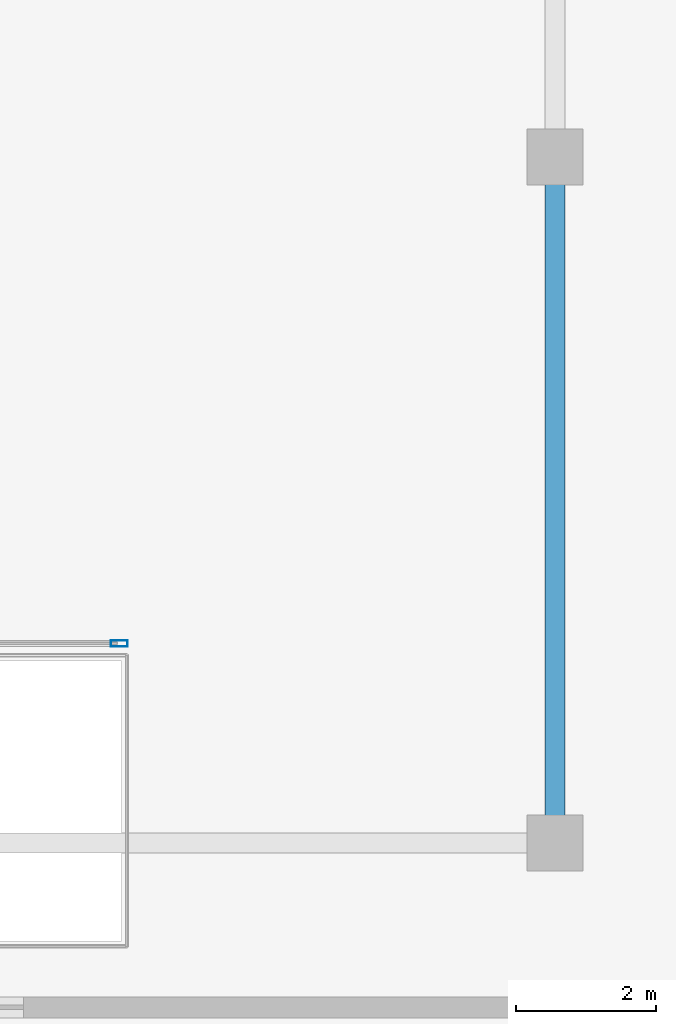
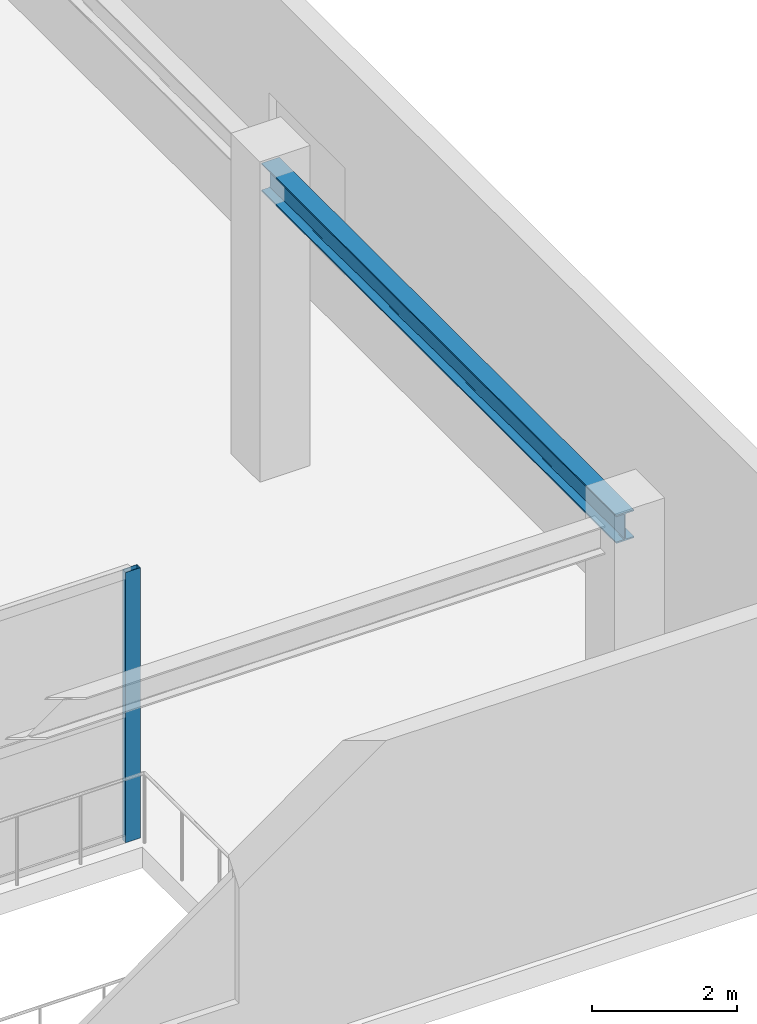
# One storey, part 4 of 16: 1 beam, 1 member, 1 element without a shape of its own.
"""IFC4 building model written with IfcOpenShell, lengths in metres."""

from ifc_helpers import new_model, si_unit, direction, frame, origin, origin_2d, place, context, subcontext, project, spatial, hollow_rectangle, i_section, extrude, material, layer, layer_set, material_profile, profile_set, type_object, element, aggregate, save


model = new_model("IFC4")

# Units and contexts
model_context = context("Model", 3, precision=1e-05, world=origin(), true_north=direction((0.0, 1.0)))
body_context = subcontext(model_context, "Body", "Model", "MODEL_VIEW")
ifc_project = project(units=[si_unit("LENGTHUNIT", "METRE"), si_unit("AREAUNIT", "SQUARE_METRE"), si_unit("VOLUMEUNIT", "CUBIC_METRE"), si_unit("PLANEANGLEUNIT", "RADIAN"), si_unit("MASSUNIT", "GRAM", prefix="KILO")], contexts=[model_context])

# Site, building, storey
site_placement = place(None, origin())
site = spatial("IfcSite", under=ifc_project, at=site_placement, CompositionType="ELEMENT")
building_placement = place(site_placement, origin())
building = spatial("IfcBuilding", under=site, at=building_placement, Name="Bramvorn Convention Spire", CompositionType="ELEMENT")
storey_placement = place(building_placement, frame((0.0, 0.0, 6.60009765625)))
storey = spatial("IfcBuildingStorey", under=building, at=storey_placement, Name="L01", CompositionType="ELEMENT", Elevation=6.60009765625)

# Beam
ifc_material_1 = material(Name="Steel CSA G40.21 Grade 350 (350W)", Category="steel")
ifc_material_profile_1 = material_profile(ifc_material_1, i_section(OverallWidth=0.283935546875, OverallDepth=0.47607421875, WebThickness=0.014892578125, FlangeThickness=0.02392578125, FilletRadius=0.01806640625, at=origin_2d()))
ifc_profile_set_1 = profile_set([ifc_material_profile_1], Name="Steel CSA G40.21 Grade 350 (350W) - W460X158")
beam_type = type_object("IfcBeamType", Name="BM-W460X158", PredefinedType="SPANDREL", material=ifc_profile_set_1)
beam_placement = place(storey_placement, frame((73.199951171875, 2.60009765625, 4.81201171875), z_axis=(0.0, 1.0, 0.0), x_axis=(-1.0, 0.0, 0.0)))
element("IfcBeam", 1, at=beam_placement, inside=storey, type_object=beam_type, Name="L01 podium spandrel beam 05", PredefinedType="SPANDREL", context=body_context, shape_type="SweptSolid", body=[
    extrude(i_section(OverallWidth=0.283935546875, OverallDepth=0.47607421875, WebThickness=0.014892578125, FlangeThickness=0.02392578125, FilletRadius=0.01806640625, at=origin_2d()), origin(), (0.0, 0.0, 1.0), 9.7998046875),
])

# Curtain wall, member
ifc_material_2 = material(Name="Anodised Bronze Unitised Curtain Wall", Category="aluminium")
ifc_layer = layer(ifc_material_2, 0.219970703125)
ifc_layer_set = layer_set([ifc_layer], Name="Anodised Bronze Unitised Curtain Wall - CW-POD-LANCET")
curtain_wall_type = type_object("IfcCurtainWallType", Name="CW-POD-LANCET", PredefinedType="USERDEFINED", material=ifc_layer_set)
curtain_wall_placement = place(storey_placement, origin())
curtain_wall = element("IfcCurtainWall", 2, at=curtain_wall_placement, inside=storey, type_object=curtain_wall_type, Name="L01 SE colonnade lancet curtain wall", ObjectType="UNITISED CURTAIN WALL", PredefinedType="USERDEFINED")
ifc_material_3 = material(Name="Anodised Bronze Aluminium 6063-T6", Category="aluminium")
ifc_material_profile_2 = material_profile(ifc_material_3, hollow_rectangle(XDim=0.090087890625, YDim=0.239990234375, WallThickness=0.00439453125, InnerFilletRadius=0.0009765625, OuterFilletRadius=0.00439453125, at=origin_2d()))
ifc_profile_set_2 = profile_set([ifc_material_profile_2], Name="Anodised Bronze Aluminium 6063-T6 - CWM90X240")
member_type = type_object("IfcMemberType", Name="CW-MUL-220", PredefinedType="MULLION", material=ifc_profile_set_2)
member_placement = place(storey_placement, frame((66.969970703125, 5.449951171875, 0.0), z_axis=(0.0, 0.0, 1.0), x_axis=(0.0, 1.0, 0.0)))
member = element("IfcMember", 3, at=member_placement, type_object=member_type, Name="CW1 mullion 3", PredefinedType="MULLION", context=body_context, shape_type="SweptSolid", body=[
    extrude(hollow_rectangle(XDim=0.090087890625, YDim=0.239990234375, WallThickness=0.00439453125, InnerFilletRadius=0.0009765625, OuterFilletRadius=0.00439453125, at=origin_2d()), origin(), (0.0, 0.0, 1.0), 4.559814453125),
])
aggregate(curtain_wall, [member])

save(model, "model.ifc")
